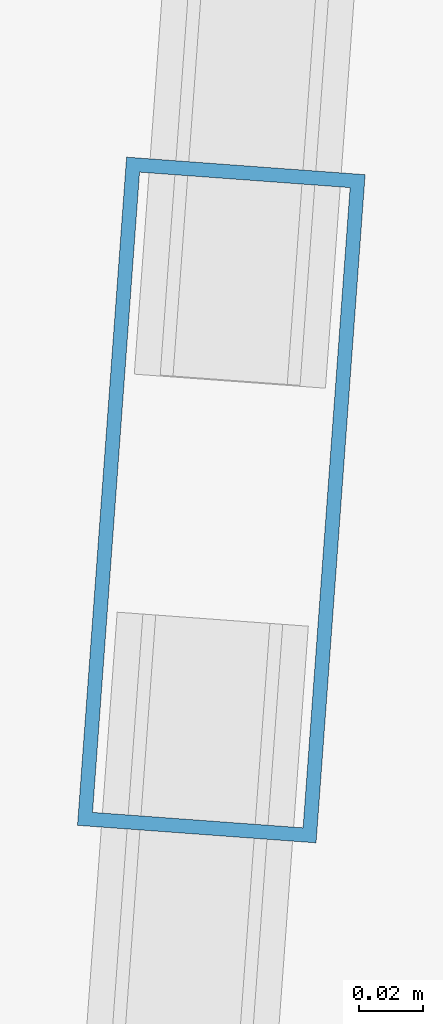
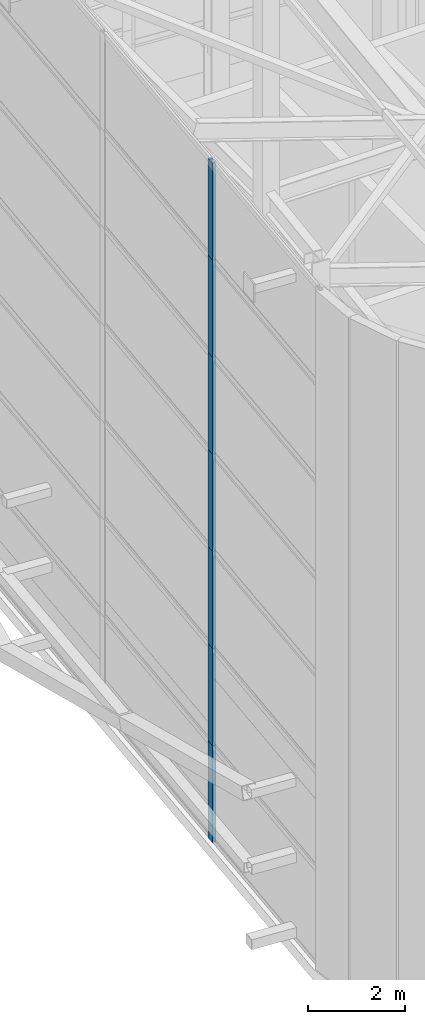
# One storey, part 8 of 56: 7 members, 7 elements without a shape of their own.
"""IFC4 building model written with IfcOpenShell, lengths in metres."""

from ifc_helpers import new_model, si_unit, direction, frame, origin, origin_2d, place, context, subcontext, project, spatial, hollow_rectangle, extrude, source, transform, mapped, material, layer, layer_set, material_profile, profile_set, type_object, element, aggregate, save


model = new_model("IFC4")

# Units and contexts
model_context = context("Model", 3, precision=1e-05, world=origin(), true_north=direction((0.0, 1.0)))
body_context = subcontext(model_context, "Body", "Model", "MODEL_VIEW")
ifc_project = project(units=[si_unit("LENGTHUNIT", "METRE"), si_unit("AREAUNIT", "SQUARE_METRE"), si_unit("VOLUMEUNIT", "CUBIC_METRE"), si_unit("PLANEANGLEUNIT", "RADIAN"), si_unit("MASSUNIT", "GRAM", prefix="KILO")], contexts=[model_context])

# Site, building, storey
site_placement = place(None, origin())
site = spatial("IfcSite", under=ifc_project, at=site_placement, CompositionType="ELEMENT")
building_placement = place(site_placement, origin())
building = spatial("IfcBuilding", under=site, at=building_placement, Name="Taldren Reach Tower", CompositionType="ELEMENT")
storey_placement = place(building_placement, frame((0.0, 0.0, 253.050048828125)))
storey = spatial("IfcBuildingStorey", under=building, at=storey_placement, Name="L77", CompositionType="ELEMENT", Elevation=253.050048828125)

# Curtain wall, member
ifc_material_1 = material(Name="Aluminium and Low-E Glass Unitised System", Category="aluminium")
ifc_layer = layer(ifc_material_1, 0.159912109375)
ifc_layer_set = layer_set([ifc_layer], Name="Aluminium and Low-E Glass Unitised System")
curtain_wall_type = type_object("IfcCurtainWallType", Name="CW-SYS-8", PredefinedType="NOTDEFINED", material=ifc_layer_set)
curtain_wall_1_placement = place(storey_placement, origin())
curtain_wall_1 = element("IfcCurtainWall", 1, at=curtain_wall_1_placement, inside=storey, type_object=curtain_wall_type, Name="Unitised curtain wall CW8-L77-W", PredefinedType="NOTDEFINED")
ifc_material_2 = material(Name="Anodised Aluminium 6063-T6", Category="aluminium")
ifc_material_profile = material_profile(ifc_material_2, hollow_rectangle(XDim=0.074951171875, YDim=0.2099609375, WallThickness=0.00439453125, at=origin_2d()), Name="ALU-210x75x4.5RHS")
ifc_profile_set = profile_set([ifc_material_profile], Name="Anodised Aluminium 6063-T6")
member_type = type_object("IfcMemberType", Name="CW-MUL-200", PredefinedType="MULLION", material=ifc_profile_set)
shared_shape_1 = source(origin(), body_context, "Body", "SweptSolid", [
    extrude(hollow_rectangle(XDim=0.074951171875, YDim=0.2099609375, WallThickness=0.00439453125, at=origin_2d()), origin(), (0.0, 0.0, 1.0), 2.4462890625),
])
member_1_placement = place(storey_placement, frame((12.03759765625, 14.17822265625, 0.0), z_axis=(0.0, 0.0, 1.0), x_axis=(0.997314470951, -0.073238282558, 0.0)))
member_1 = element("IfcMember", 2, at=member_1_placement, type_object=member_type, Name="CW-8 mullion 5", PredefinedType="MULLION", context=body_context, shape_type="MappedRepresentation", body=[
    mapped(shared_shape_1, transform((0.0, 0.0, 0.0), scale=1.0)),
])
aggregate(curtain_wall_1, [member_1])

curtain_wall_2_placement = place(storey_placement, origin())
curtain_wall_2 = element("IfcCurtainWall", 3, at=curtain_wall_2_placement, inside=storey, type_object=curtain_wall_type, Name="Unitised curtain wall CW8-L77-W-T3", PredefinedType="NOTDEFINED")
member_2_placement = place(storey_placement, frame((12.03759765625, 14.17822265625, 4.892822265625), z_axis=(0.0, 0.0, 1.0), x_axis=(0.997314470951, -0.073238282558, 0.0)))
member_2 = element("IfcMember", 4, at=member_2_placement, type_object=member_type, Name="CW-8 mullion 5", PredefinedType="MULLION", context=body_context, shape_type="MappedRepresentation", body=[
    mapped(shared_shape_1, transform((0.0, 0.0, 0.0), scale=1.0)),
])
aggregate(curtain_wall_2, [member_2])

curtain_wall_3_placement = place(storey_placement, origin())
curtain_wall_3 = element("IfcCurtainWall", 5, at=curtain_wall_3_placement, inside=storey, type_object=curtain_wall_type, Name="Unitised curtain wall CW8-L77-W-T5", PredefinedType="NOTDEFINED")
member_3_placement = place(storey_placement, frame((12.03759765625, 14.17822265625, 9.78564453125), z_axis=(0.0, 0.0, 1.0), x_axis=(0.997314470951, -0.073238282558, 0.0)))
member_3 = element("IfcMember", 6, at=member_3_placement, type_object=member_type, Name="CW-8 mullion 5", PredefinedType="MULLION", context=body_context, shape_type="MappedRepresentation", body=[
    mapped(shared_shape_1, transform((0.0, 0.0, 0.0), scale=1.0)),
])
aggregate(curtain_wall_3, [member_3])

curtain_wall_4_placement = place(storey_placement, origin())
curtain_wall_4 = element("IfcCurtainWall", 7, at=curtain_wall_4_placement, inside=storey, type_object=curtain_wall_type, Name="Unitised curtain wall CW8-L77-W-T7", PredefinedType="NOTDEFINED")
member_4_placement = place(storey_placement, frame((12.03759765625, 14.17822265625, 14.678466796875), z_axis=(0.0, 0.0, 1.0), x_axis=(0.997314470951, -0.073238282558, 0.0)))
member_4 = element("IfcMember", 8, at=member_4_placement, type_object=member_type, Name="CW-8 mullion 5", PredefinedType="MULLION", context=body_context, shape_type="MappedRepresentation", body=[
    mapped(shared_shape_1, transform((0.0, 0.0, 0.0), scale=1.0)),
])
aggregate(curtain_wall_4, [member_4])

curtain_wall_5_placement = place(storey_placement, origin())
curtain_wall_5 = element("IfcCurtainWall", 9, at=curtain_wall_5_placement, inside=storey, type_object=curtain_wall_type, Name="Unitised curtain wall CW8-L77-W-T2", PredefinedType="NOTDEFINED")
shared_shape_2 = source(origin(), body_context, "Body", "SweptSolid", [
    extrude(hollow_rectangle(XDim=0.074951171875, YDim=0.2099609375, WallThickness=0.00439453125, at=origin_2d()), origin(), (0.0, 0.0, 1.0), 2.446533203125),
])
member_5_placement = place(storey_placement, frame((12.03759765625, 14.17822265625, 2.4462890625), z_axis=(0.0, 0.0, 1.0), x_axis=(0.997314470951, -0.073238282558, 0.0)))
member_5 = element("IfcMember", 10, at=member_5_placement, type_object=member_type, Name="CW-8 mullion 5", PredefinedType="MULLION", context=body_context, shape_type="MappedRepresentation", body=[
    mapped(shared_shape_2, transform((0.0, 0.0, 0.0), scale=1.0)),
])
aggregate(curtain_wall_5, [member_5])

curtain_wall_6_placement = place(storey_placement, origin())
curtain_wall_6 = element("IfcCurtainWall", 11, at=curtain_wall_6_placement, inside=storey, type_object=curtain_wall_type, Name="Unitised curtain wall CW8-L77-W-T4", PredefinedType="NOTDEFINED")
member_6_placement = place(storey_placement, frame((12.03759765625, 14.17822265625, 7.339111328125), z_axis=(0.0, 0.0, 1.0), x_axis=(0.997314470951, -0.073238282558, 0.0)))
member_6 = element("IfcMember", 12, at=member_6_placement, type_object=member_type, Name="CW-8 mullion 5", PredefinedType="MULLION", context=body_context, shape_type="MappedRepresentation", body=[
    mapped(shared_shape_2, transform((0.0, 0.0, 0.0), scale=1.0)),
])
aggregate(curtain_wall_6, [member_6])

curtain_wall_7_placement = place(storey_placement, origin())
curtain_wall_7 = element("IfcCurtainWall", 13, at=curtain_wall_7_placement, inside=storey, type_object=curtain_wall_type, Name="Unitised curtain wall CW8-L77-W-T6", PredefinedType="NOTDEFINED")
member_7_placement = place(storey_placement, frame((12.03759765625, 14.17822265625, 12.23193359375), z_axis=(0.0, 0.0, 1.0), x_axis=(0.997314470951, -0.073238282558, 0.0)))
member_7 = element("IfcMember", 14, at=member_7_placement, type_object=member_type, Name="CW-8 mullion 5", PredefinedType="MULLION", context=body_context, shape_type="MappedRepresentation", body=[
    mapped(shared_shape_2, transform((0.0, 0.0, 0.0), scale=1.0)),
])
aggregate(curtain_wall_7, [member_7])

save(model, "model.ifc")
